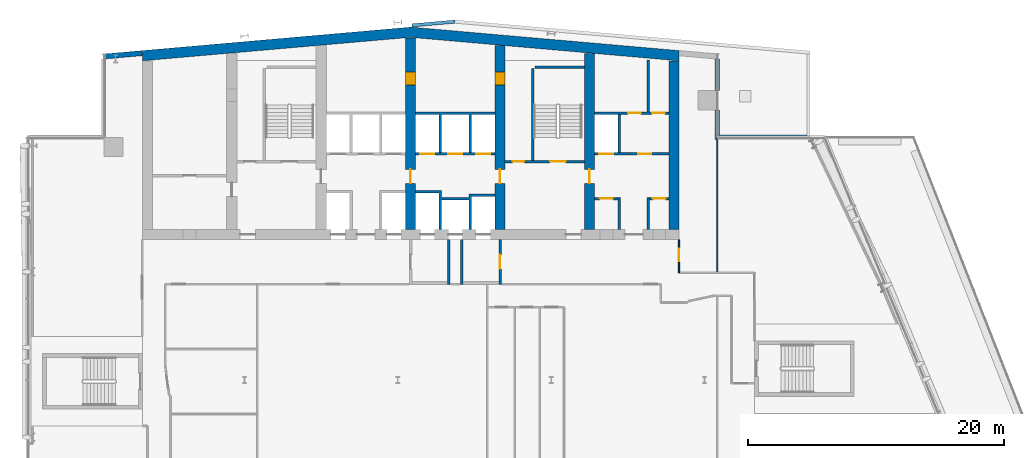
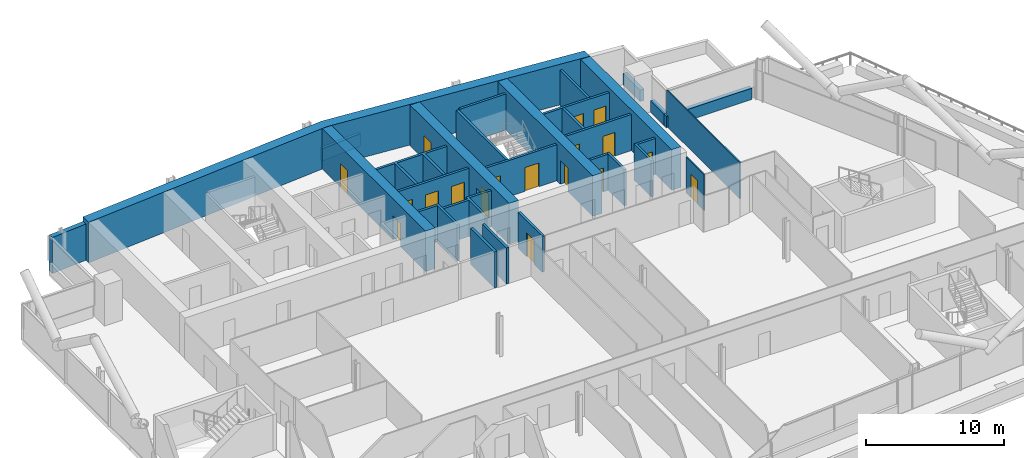
# One storey, part 21 of 30: 29 walls, 18 doors, 18 openings.
"""IFC4 building model written with IfcOpenShell, lengths in metres."""

from ifc_helpers import new_model, si_unit, direction, frame, frame_2d, origin, place, context, subcontext, project, spatial, polyline, rectangle, outline, extrude, material, layer, layer_set, type_object, element, fill, save


model = new_model("IFC4")

# Units and contexts
model_context = context("Model", 3, precision=1e-05, world=origin(), true_north=direction((0.0, 1.0)))
body_context = subcontext(model_context, "Body", "Model", "MODEL_VIEW")
ifc_project = project(units=[si_unit("LENGTHUNIT", "METRE"), si_unit("AREAUNIT", "SQUARE_METRE"), si_unit("VOLUMEUNIT", "CUBIC_METRE"), si_unit("PLANEANGLEUNIT", "RADIAN"), si_unit("MASSUNIT", "GRAM", prefix="KILO")], contexts=[model_context])

# Site, building, storey
site_placement = place(None, origin())
site = spatial("IfcSite", under=ifc_project, at=site_placement, CompositionType="ELEMENT")
building_placement = place(site_placement, origin())
building = spatial("IfcBuilding", under=site, at=building_placement, Name="Wharfspan Tower", CompositionType="ELEMENT")
storey_placement = place(building_placement, frame((0.0, 0.0, 151.899902)))
storey = spatial("IfcBuildingStorey", under=building, at=storey_placement, Name="L36", CompositionType="ELEMENT", Elevation=151.899902)

# Wall, opening, door
ifc_material_1 = material(Name="Gypsum board on steel studs", Category="steel")
ifc_layer_1 = layer(ifc_material_1, 0.100098)
ifc_layer_set_1 = layer_set([ifc_layer_1], Name="Gypsum board on steel studs")
wall_type_1 = type_object("IfcWallType", Name="Compartment wall 100 EI 60", PredefinedType="PARTITIONING", material=ifc_layer_set_1)
wall_1_placement = place(storey_placement, frame((58.0, 31.399902, 0.0), z_axis=(0.0, 0.0, 1.0), x_axis=(0.0, 1.0, 0.0)))
wall_1 = element("IfcWall", 1, at=wall_1_placement, inside=storey, type_object=wall_type_1, Name="Partition L36.w039", PredefinedType="PARTITIONING", context=body_context, shape_type="SweptSolid", body=[
    extrude(rectangle(XDim=2.580078, YDim=0.100098, at=frame_2d((1.290039, 0.0))), origin(), (0.0, 0.0, 1.0), 3.200195),
])
opening_1_placement = place(wall_1_placement, frame((0.899902, 0.0, 0.0)))
opening_1 = element("IfcOpeningElement", 2, at=opening_1_placement, cuts=wall_1, Name="Opening C1-24", PredefinedType="OPENING", context=body_context, shape_type="SweptSolid", body=[
    extrude(rectangle(XDim=1.0, YDim=2.100098, at=frame_2d((0.5, 1.050049))), frame((0.0, 0.060059, 0.0), z_axis=(0.0, -1.0, 0.0), x_axis=(1.0, 0.0, 0.0)), (0.0, 0.0, 1.0), 0.120117),
])
ifc_material_2 = material(Name="Fire-rated timber door leaf in steel frame", Category="steel")
door_type_1 = type_object("IfcDoorType", Name="Door 1000 FD30S Right", OperationType="SINGLE_SWING_RIGHT", PredefinedType="DOOR", material=ifc_material_2)
door_1_placement = place(opening_1_placement, origin())
door_1 = element("IfcDoor", 3, at=door_1_placement, inside=storey, type_object=door_type_1, Name="Door C1-24", OperationType="SINGLE_SWING_RIGHT", OverallHeight=2.100098, OverallWidth=1.0, PredefinedType="DOOR", context=body_context, shape_type="SweptSolid", body=[
    extrude(rectangle(XDim=1.0, YDim=2.100098, at=frame_2d((0.5, 1.050049))), frame((0.0, 0.024902, 0.0), z_axis=(0.0, -1.0, 0.0), x_axis=(1.0, 0.0, 0.0)), (0.0, 0.0, 1.0), 0.050049),
])
fill(opening_1, door_1)

# Wall
wall_2_placement = place(storey_placement, frame((61.0, 31.399902, 0.0), z_axis=(0.0, 0.0, 1.0), x_axis=(0.0, 1.0, 0.0)))
element("IfcWall", 4, at=wall_2_placement, inside=storey, type_object=wall_type_1, Name="Partition L36.w048", PredefinedType="PARTITIONING", context=body_context, shape_type="SweptSolid", body=[
    extrude(rectangle(XDim=10.580078, YDim=0.100098, at=frame_2d((5.290039, 0.0))), origin(), (0.0, 0.0, 1.0), 3.200195),
])

# Wall, opening, door
ifc_material_3 = material(Name="Calcium silicate masonry", Category="masonry")
ifc_layer_2 = layer(ifc_material_3, 0.199951)
ifc_layer_set_2 = layer_set([ifc_layer_2], Name="Calcium silicate masonry")
wall_type_2 = type_object("IfcWallType", Name="Core room wall 200", PredefinedType="PARTITIONING", material=ifc_layer_set_2)
wall_3_placement = place(storey_placement, frame((51.399902, 37.199951, 0.0), z_axis=(0.0, 0.0, 1.0), x_axis=(1.0, 0.0, 0.0)))
wall_3 = element("IfcWall", 5, at=wall_3_placement, inside=storey, type_object=wall_type_2, Name="sw:L36:FR6.1", PredefinedType="PARTITIONING", context=body_context, shape_type="SweptSolid", body=[
    extrude(rectangle(XDim=1.833496, YDim=0.199951, at=frame_2d((0.916748, 0.0))), origin(), (0.0, 0.0, 1.0), 3.200195),
])
opening_2_placement = place(wall_3_placement, frame((0.416748, 0.0, 0.0)))
opening_2 = element("IfcOpeningElement", 6, at=opening_2_placement, cuts=wall_3, Name="Opening CD36.6H1", PredefinedType="OPENING", context=body_context, shape_type="SweptSolid", body=[
    extrude(rectangle(XDim=1.0, YDim=2.100098, at=frame_2d((0.5, 1.050049))), frame((0.0, 0.109863, 0.0), z_axis=(0.0, -1.0, 0.0), x_axis=(1.0, 0.0, 0.0)), (0.0, 0.0, 1.0), 0.219971),
])
ifc_material_4 = material(Name="Steel door leaf", Category="steel")
door_type_2 = type_object("IfcDoorType", Name="Core room door 1000x2100", OperationType="SINGLE_SWING_LEFT", PredefinedType="DOOR", material=ifc_material_4)
door_2_placement = place(opening_2_placement, origin())
door_2 = element("IfcDoor", 7, at=door_2_placement, inside=storey, type_object=door_type_2, Name="d:L36:6:fh6.1", OperationType="SINGLE_SWING_RIGHT", OverallHeight=2.100098, OverallWidth=1.0, PredefinedType="DOOR", context=body_context, shape_type="SweptSolid", body=[
    extrude(rectangle(XDim=1.0, YDim=2.100098, at=frame_2d((0.5, 1.050049))), frame((0.0, 0.024902, 0.0), z_axis=(0.0, -1.0, 0.0), x_axis=(1.0, 0.0, 0.0)), (0.0, 0.0, 1.0), 0.050049),
])
fill(opening_2, door_2)

wall_4_placement = place(storey_placement, frame((55.699951, 37.199951, 0.0), z_axis=(0.0, 0.0, 1.0), x_axis=(1.0, 0.0, 0.0)))
wall_4 = element("IfcWall", 8, at=wall_4_placement, inside=storey, type_object=wall_type_2, Name="sw:L36:FR6.3", PredefinedType="PARTITIONING", context=body_context, shape_type="SweptSolid", body=[
    extrude(rectangle(XDim=1.5, YDim=0.199951, at=frame_2d((0.75, 0.0))), origin(), (0.0, 0.0, 1.0), 3.200195),
])
opening_3_placement = place(wall_4_placement, frame((0.25, 0.0, 0.0)))
opening_3 = element("IfcOpeningElement", 9, at=opening_3_placement, cuts=wall_4, Name="Opening CD36.6H3", PredefinedType="OPENING", context=body_context, shape_type="SweptSolid", body=[
    extrude(rectangle(XDim=1.0, YDim=2.100098, at=frame_2d((0.5, 1.050049))), frame((0.0, 0.109863, 0.0), z_axis=(0.0, -1.0, 0.0), x_axis=(1.0, 0.0, 0.0)), (0.0, 0.0, 1.0), 0.219971),
])
door_3_placement = place(opening_3_placement, origin())
door_3 = element("IfcDoor", 10, at=door_3_placement, inside=storey, type_object=door_type_2, Name="d:L36:6:fh6.3", OperationType="SINGLE_SWING_RIGHT", OverallHeight=2.100098, OverallWidth=1.0, PredefinedType="DOOR", context=body_context, shape_type="SweptSolid", body=[
    extrude(rectangle(XDim=1.0, YDim=2.100098, at=frame_2d((0.5, 1.050049))), frame((0.0, 0.024902, 0.0), z_axis=(0.0, -1.0, 0.0), x_axis=(1.0, 0.0, 0.0)), (0.0, 0.0, 1.0), 0.050049),
])
fill(opening_3, door_3)

# Walls
wall_5_placement = place(storey_placement, frame((55.600098, 44.0, 0.0), z_axis=(0.0, 0.0, 1.0), x_axis=(0.0, 1.0, 0.0)))
element("IfcWall", 11, at=wall_5_placement, inside=storey, type_object=wall_type_2, Name="sw:L36:RP6.1", PredefinedType="PARTITIONING", context=body_context, shape_type="SweptSolid", body=[
    extrude(rectangle(XDim=4.03418, YDim=0.199951, at=frame_2d((2.01709, 0.0))), origin(), (0.0, 0.0, 1.0), 3.200195),
])
ifc_material_5 = material(Name="Concrete C60/75", Category="concrete")
ifc_layer_3 = layer(ifc_material_5, 0.800049)
ifc_layer_set_3 = layer_set([ifc_layer_3], Name="Concrete C60/75")
wall_type_3 = type_object("IfcWallType", Name="Core wall 800 C60/75", PredefinedType="SHEAR", material=ifc_layer_set_3)
wall_6_placement = place(storey_placement, origin())
element("IfcWall", 12, at=wall_6_placement, inside=storey, type_object=wall_type_3, Name="Core rear wall L36", PredefinedType="SHEAR", context=body_context, shape_type="SweptSolid", body=[
    extrude(outline(polyline([(16.0, 47.984375), (37.0, 49.821533), (58.0, 47.984375), (58.0, 48.787354), (37.0, 50.624756), (16.0, 48.787354), (16.0, 47.984375)])), origin(), (0.0, 0.0, 1.0), 3.600098),
])

# Wall, openings, doors
wall_7_placement = place(storey_placement, frame((37.0, 34.800049, 0.0), z_axis=(0.0, 0.0, 1.0), x_axis=(0.0, 1.0, 0.0)))
wall_7 = element("IfcWall", 13, at=wall_7_placement, inside=storey, type_object=wall_type_3, Name="Core cross wall X4 L36", PredefinedType="SHEAR", context=body_context, shape_type="SweptSolid", body=[
    extrude(rectangle(XDim=14.986572, YDim=0.800049, at=frame_2d((7.493164, 0.0))), origin(), (0.0, 0.0, 1.0), 3.600098),
])
opening_4_placement = place(wall_7_placement, frame((11.312012, 0.0, 0.0)))
opening_4 = element("IfcOpeningElement", 14, at=opening_4_placement, cuts=wall_7, Name="Opening CD36.3X", PredefinedType="OPENING", context=body_context, shape_type="SweptSolid", body=[
    extrude(rectangle(XDim=1.0, YDim=2.100098, at=frame_2d((0.5, 1.050049))), frame((0.0, 0.409912, 0.0), z_axis=(0.0, -1.0, 0.0), x_axis=(1.0, 0.0, 0.0)), (0.0, 0.0, 1.0), 0.820068),
])
opening_5_placement = place(wall_7_placement, frame((3.600098, 0.0, 0.0)))
opening_5 = element("IfcOpeningElement", 15, at=opening_5_placement, cuts=wall_7, Name="Opening CC36.4", PredefinedType="OPENING", context=body_context, shape_type="SweptSolid", body=[
    extrude(rectangle(XDim=1.100098, YDim=2.100098, at=frame_2d((0.550049, 1.050049))), frame((0.0, 0.409912, 0.0), z_axis=(0.0, -1.0, 0.0), x_axis=(1.0, 0.0, 0.0)), (0.0, 0.0, 1.0), 0.820068),
])
door_type_3 = type_object("IfcDoorType", Name="Core corridor door 1100x2100", OperationType="SINGLE_SWING_LEFT", PredefinedType="DOOR", material=ifc_material_4)
door_4_placement = place(opening_5_placement, origin())
door_4 = element("IfcDoor", 16, at=door_4_placement, inside=storey, type_object=door_type_3, Name="xd:L36:4", OperationType="SINGLE_SWING_RIGHT", OverallHeight=2.100098, OverallWidth=1.100098, PredefinedType="DOOR", context=body_context, shape_type="SweptSolid", body=[
    extrude(rectangle(XDim=1.100098, YDim=2.100098, at=frame_2d((0.550049, 1.050049))), frame((0.0, 0.024902, 0.0), z_axis=(0.0, -1.0, 0.0), x_axis=(1.0, 0.0, 0.0)), (0.0, 0.0, 1.0), 0.050049),
])
fill(opening_5, door_4)
door_5_placement = place(opening_4_placement, origin())
door_5 = element("IfcDoor", 17, at=door_5_placement, inside=storey, type_object=door_type_2, Name="d:L36:3:sx", OperationType="SINGLE_SWING_LEFT", OverallHeight=2.100098, OverallWidth=1.0, PredefinedType="DOOR", context=body_context, shape_type="SweptSolid", body=[
    extrude(rectangle(XDim=1.0, YDim=2.100098, at=frame_2d((0.5, 1.050049))), frame((0.0, 0.399902, 0.0), z_axis=(0.0, -1.0, 0.0), x_axis=(1.0, 0.0, 0.0)), (0.0, 0.0, 1.0), 0.799561),
])
fill(opening_4, door_5)

wall_8_placement = place(storey_placement, frame((44.0, 34.800049, 0.0), z_axis=(0.0, 0.0, 1.0), x_axis=(0.0, 1.0, 0.0)))
wall_8 = element("IfcWall", 18, at=wall_8_placement, inside=storey, type_object=wall_type_3, Name="Core cross wall X5 L36", PredefinedType="SHEAR", context=body_context, shape_type="SweptSolid", body=[
    extrude(rectangle(XDim=14.374023, YDim=0.800049, at=frame_2d((7.187012, 0.0))), origin(), (0.0, 0.0, 1.0), 3.600098),
])
opening_6_placement = place(wall_8_placement, frame((11.312012, 0.0, 0.0)))
opening_6 = element("IfcOpeningElement", 19, at=opening_6_placement, cuts=wall_8, Name="Opening CD36.4X", PredefinedType="OPENING", context=body_context, shape_type="SweptSolid", body=[
    extrude(rectangle(XDim=1.0, YDim=2.100098, at=frame_2d((0.5, 1.050049))), frame((0.0, 0.409912, 0.0), z_axis=(0.0, -1.0, 0.0), x_axis=(1.0, 0.0, 0.0)), (0.0, 0.0, 1.0), 0.820068),
])
opening_7_placement = place(wall_8_placement, frame((3.600098, 0.0, 0.0)))
opening_7 = element("IfcOpeningElement", 20, at=opening_7_placement, cuts=wall_8, Name="Opening CC36.5", PredefinedType="OPENING", context=body_context, shape_type="SweptSolid", body=[
    extrude(rectangle(XDim=1.100098, YDim=2.100098, at=frame_2d((0.550049, 1.050049))), frame((0.0, 0.409912, 0.0), z_axis=(0.0, -1.0, 0.0), x_axis=(1.0, 0.0, 0.0)), (0.0, 0.0, 1.0), 0.820068),
])
door_6_placement = place(opening_7_placement, origin())
door_6 = element("IfcDoor", 21, at=door_6_placement, inside=storey, type_object=door_type_3, Name="xd:L36:5", OperationType="SINGLE_SWING_LEFT", OverallHeight=2.100098, OverallWidth=1.100098, PredefinedType="DOOR", context=body_context, shape_type="SweptSolid", body=[
    extrude(rectangle(XDim=1.100098, YDim=2.100098, at=frame_2d((0.550049, 1.050049))), frame((0.0, 0.024902, 0.0), z_axis=(0.0, -1.0, 0.0), x_axis=(1.0, 0.0, 0.0)), (0.0, 0.0, 1.0), 0.050049),
])
fill(opening_7, door_6)
door_7_placement = place(opening_6_placement, origin())
door_7 = element("IfcDoor", 22, at=door_7_placement, inside=storey, type_object=door_type_2, Name="d:L36:4:sx", OperationType="SINGLE_SWING_LEFT", OverallHeight=2.100098, OverallWidth=1.0, PredefinedType="DOOR", context=body_context, shape_type="SweptSolid", body=[
    extrude(rectangle(XDim=1.0, YDim=2.100098, at=frame_2d((0.5, 1.050049))), frame((0.0, 0.399902, 0.0), z_axis=(0.0, -1.0, 0.0), x_axis=(1.0, 0.0, 0.0)), (0.0, 0.0, 1.0), 0.799561),
])
fill(opening_6, door_7)

# Wall, opening, door
wall_9_placement = place(storey_placement, frame((51.0, 34.800049, 0.0), z_axis=(0.0, 0.0, 1.0), x_axis=(0.0, 1.0, 0.0)))
wall_9 = element("IfcWall", 23, at=wall_9_placement, inside=storey, type_object=wall_type_3, Name="Core cross wall X6 L36", PredefinedType="SHEAR", context=body_context, shape_type="SweptSolid", body=[
    extrude(rectangle(XDim=13.761719, YDim=0.800049, at=frame_2d((6.880859, 0.0))), origin(), (0.0, 0.0, 1.0), 3.600098),
])
opening_8_placement = place(wall_9_placement, frame((3.600098, 0.0, 0.0)))
opening_8 = element("IfcOpeningElement", 24, at=opening_8_placement, cuts=wall_9, Name="Opening CC36.6", PredefinedType="OPENING", context=body_context, shape_type="SweptSolid", body=[
    extrude(rectangle(XDim=1.100098, YDim=2.100098, at=frame_2d((0.550049, 1.050049))), frame((0.0, 0.409912, 0.0), z_axis=(0.0, -1.0, 0.0), x_axis=(1.0, 0.0, 0.0)), (0.0, 0.0, 1.0), 0.820068),
])
door_8_placement = place(opening_8_placement, origin())
door_8 = element("IfcDoor", 25, at=door_8_placement, inside=storey, type_object=door_type_3, Name="xd:L36:6", OperationType="SINGLE_SWING_RIGHT", OverallHeight=2.100098, OverallWidth=1.100098, PredefinedType="DOOR", context=body_context, shape_type="SweptSolid", body=[
    extrude(rectangle(XDim=1.100098, YDim=2.100098, at=frame_2d((0.550049, 1.050049))), frame((0.0, 0.024902, 0.0), z_axis=(0.0, -1.0, 0.0), x_axis=(1.0, 0.0, 0.0)), (0.0, 0.0, 1.0), 0.050049),
])
fill(opening_8, door_8)

# Wall
wall_10_placement = place(storey_placement, frame((57.600098, 34.800049, 0.0), z_axis=(0.0, 0.0, 1.0), x_axis=(0.0, 1.0, 0.0)))
element("IfcWall", 26, at=wall_10_placement, inside=storey, type_object=wall_type_3, Name="Core cross wall EW1 L36", PredefinedType="SHEAR", context=body_context, shape_type="SweptSolid", body=[
    extrude(rectangle(XDim=13.184326, YDim=0.800049, at=frame_2d((6.592285, 0.0))), origin(), (0.0, 0.0, 1.0), 3.600098),
])

# Wall, openings, doors
ifc_material_6 = material(Name="Concrete C30/37", Category="concrete")
ifc_layer_4 = layer(ifc_material_6, 0.199951)
ifc_layer_set_4 = layer_set([ifc_layer_4], Name="Concrete C30/37")
wall_type_4 = type_object("IfcWallType", Name="Lift shaft wall 200", PredefinedType="PARTITIONING", material=ifc_layer_set_4)
wall_11_placement = place(storey_placement, frame((37.399902, 40.699951, 0.0), z_axis=(0.0, 0.0, 1.0), x_axis=(1.0, 0.0, 0.0)))
wall_11 = element("IfcWall", 27, at=wall_11_placement, inside=storey, type_object=wall_type_4, Name="sw:L36:RF4", PredefinedType="PARTITIONING", context=body_context, shape_type="SweptSolid", body=[
    extrude(rectangle(XDim=6.200195, YDim=0.199951, at=frame_2d((3.100098, 0.0))), origin(), (0.0, 0.0, 1.0), 3.200195),
])
opening_9_placement = place(wall_11_placement, frame((0.366699, 0.0, 0.0)))
opening_9 = element("IfcOpeningElement", 28, at=opening_9_placement, cuts=wall_11, Name="Opening LD.LB4.L36", PredefinedType="OPENING", context=body_context, shape_type="SweptSolid", body=[
    extrude(rectangle(XDim=1.100098, YDim=2.100098, at=frame_2d((0.550049, 1.050049))), frame((0.0, 0.109863, 0.0), z_axis=(0.0, -1.0, 0.0), x_axis=(1.0, 0.0, 0.0)), (0.0, 0.0, 1.0), 0.219971),
])
opening_10_placement = place(wall_11_placement, frame((2.550049, 0.0, 0.0)))
opening_10 = element("IfcOpeningElement", 29, at=opening_10_placement, cuts=wall_11, Name="Opening LD.LB5.L36", PredefinedType="OPENING", context=body_context, shape_type="SweptSolid", body=[
    extrude(rectangle(XDim=1.100098, YDim=2.100098, at=frame_2d((0.550049, 1.050049))), frame((0.0, 0.109863, 0.0), z_axis=(0.0, -1.0, 0.0), x_axis=(1.0, 0.0, 0.0)), (0.0, 0.0, 1.0), 0.219971),
])
opening_11_placement = place(wall_11_placement, frame((4.733398, 0.0, 0.0)))
opening_11 = element("IfcOpeningElement", 30, at=opening_11_placement, cuts=wall_11, Name="Opening LD.LB6.L36", PredefinedType="OPENING", context=body_context, shape_type="SweptSolid", body=[
    extrude(rectangle(XDim=1.100098, YDim=2.100098, at=frame_2d((0.550049, 1.050049))), frame((0.0, 0.109863, 0.0), z_axis=(0.0, -1.0, 0.0), x_axis=(1.0, 0.0, 0.0)), (0.0, 0.0, 1.0), 0.219971),
])
ifc_material_7 = material(Name="Stainless steel", Category="steel")
door_type_4 = type_object("IfcDoorType", Name="Lift landing door 1100x2100", OperationType="DOUBLE_DOOR_SLIDING", PredefinedType="DOOR", material=ifc_material_7)
door_9_placement = place(opening_9_placement, origin())
door_9 = element("IfcDoor", 31, at=door_9_placement, inside=storey, type_object=door_type_4, Name="Landing door LB4 L36", OperationType="DOUBLE_DOOR_SLIDING", OverallHeight=2.100098, OverallWidth=1.100098, PredefinedType="DOOR", context=body_context, shape_type="SweptSolid", body=[
    extrude(rectangle(XDim=1.100098, YDim=2.100098, at=frame_2d((0.550049, 1.050049))), frame((0.0, 0.024902, 0.0), z_axis=(0.0, -1.0, 0.0), x_axis=(1.0, 0.0, 0.0)), (0.0, 0.0, 1.0), 0.050049),
])
fill(opening_9, door_9)
door_10_placement = place(opening_10_placement, origin())
door_10 = element("IfcDoor", 32, at=door_10_placement, inside=storey, type_object=door_type_4, Name="Landing door LB5 L36", OperationType="DOUBLE_DOOR_SLIDING", OverallHeight=2.100098, OverallWidth=1.100098, PredefinedType="DOOR", context=body_context, shape_type="SweptSolid", body=[
    extrude(rectangle(XDim=1.100098, YDim=2.100098, at=frame_2d((0.550049, 1.050049))), frame((0.0, 0.024902, 0.0), z_axis=(0.0, -1.0, 0.0), x_axis=(1.0, 0.0, 0.0)), (0.0, 0.0, 1.0), 0.050049),
])
fill(opening_10, door_10)
door_11_placement = place(opening_11_placement, origin())
door_11 = element("IfcDoor", 33, at=door_11_placement, inside=storey, type_object=door_type_4, Name="Landing door LB6 L36", OperationType="DOUBLE_DOOR_SLIDING", OverallHeight=2.100098, OverallWidth=1.100098, PredefinedType="DOOR", context=body_context, shape_type="SweptSolid", body=[
    extrude(rectangle(XDim=1.100098, YDim=2.100098, at=frame_2d((0.550049, 1.050049))), frame((0.0, 0.024902, 0.0), z_axis=(0.0, -1.0, 0.0), x_axis=(1.0, 0.0, 0.0)), (0.0, 0.0, 1.0), 0.050049),
])
fill(opening_11, door_11)

# Walls
wall_12_placement = place(storey_placement, origin())
element("IfcWall", 34, at=wall_12_placement, inside=storey, type_object=wall_type_4, Name="sw:L36:FM4.0", PredefinedType="PARTITIONING", context=body_context, shape_type="SweptSolid", body=[
    extrude(outline(polyline([(41.56665, 37.100098), (39.43335, 37.100098), (39.43335, 34.800049), (39.233398, 34.800049), (39.233398, 37.649902), (37.399902, 37.649902), (37.399902, 37.850098), (39.233398, 37.850098), (39.43335, 37.850098), (39.43335, 37.300049), (41.56665, 37.300049), (41.56665, 37.550049), (41.766602, 37.550049), (43.600098, 37.550049), (43.600098, 37.350098), (41.766602, 37.350098), (41.766602, 34.800049), (41.56665, 34.800049), (41.56665, 37.100098)])), origin(), (0.0, 0.0, 1.0), 3.200195),
])
wall_13_placement = place(storey_placement, origin())
element("IfcWall", 35, at=wall_13_placement, inside=storey, type_object=wall_type_4, Name="sw:L36:RM4.0", PredefinedType="PARTITIONING", context=body_context, shape_type="SweptSolid", body=[
    extrude(outline(polyline([(39.43335, 40.800049), (39.233398, 40.800049), (39.233398, 43.800049), (37.399902, 43.800049), (37.399902, 44.0), (43.600098, 44.0), (43.600098, 43.800049), (41.766602, 43.800049), (41.766602, 40.800049), (41.56665, 40.800049), (41.56665, 43.800049), (39.43335, 43.800049), (39.43335, 40.800049)])), origin(), (0.0, 0.0, 1.0), 3.200195),
])

# Wall, openings, doors
wall_14_placement = place(storey_placement, frame((51.399902, 40.699951, 0.0), z_axis=(0.0, 0.0, 1.0), x_axis=(1.0, 0.0, 0.0)))
wall_14 = element("IfcWall", 36, at=wall_14_placement, inside=storey, type_object=wall_type_4, Name="sw:L36:RF6", PredefinedType="PARTITIONING", context=body_context, shape_type="SweptSolid", body=[
    extrude(rectangle(XDim=5.800049, YDim=0.199951, at=frame_2d((2.899902, 0.0))), origin(), (0.0, 0.0, 1.0), 3.200195),
])
opening_12_placement = place(wall_14_placement, frame((0.366699, 0.0, 0.0)))
opening_12 = element("IfcOpeningElement", 37, at=opening_12_placement, cuts=wall_14, Name="Opening LD.LB8.L36", PredefinedType="OPENING", context=body_context, shape_type="SweptSolid", body=[
    extrude(rectangle(XDim=1.100098, YDim=2.100098, at=frame_2d((0.550049, 1.050049))), frame((0.0, 0.109863, 0.0), z_axis=(0.0, -1.0, 0.0), x_axis=(1.0, 0.0, 0.0)), (0.0, 0.0, 1.0), 0.219971),
])
opening_13_placement = place(wall_14_placement, frame((3.416748, 0.0, 0.0)))
opening_13 = element("IfcOpeningElement", 38, at=opening_13_placement, cuts=wall_14, Name="Opening CD36.6R2", PredefinedType="OPENING", context=body_context, shape_type="SweptSolid", body=[
    extrude(rectangle(XDim=1.0, YDim=2.100098, at=frame_2d((0.5, 1.050049))), frame((0.0, 0.109863, 0.0), z_axis=(0.0, -1.0, 0.0), x_axis=(1.0, 0.0, 0.0)), (0.0, 0.0, 1.0), 0.219971),
])
door_12_placement = place(opening_13_placement, origin())
door_12 = element("IfcDoor", 39, at=door_12_placement, inside=storey, type_object=door_type_2, Name="d:L36:6:rd6.2", OperationType="SINGLE_SWING_RIGHT", OverallHeight=2.100098, OverallWidth=1.0, PredefinedType="DOOR", context=body_context, shape_type="SweptSolid", body=[
    extrude(rectangle(XDim=1.0, YDim=2.100098, at=frame_2d((0.5, 1.050049))), frame((0.0, 0.024902, 0.0), z_axis=(0.0, -1.0, 0.0), x_axis=(1.0, 0.0, 0.0)), (0.0, 0.0, 1.0), 0.050049),
])
fill(opening_13, door_12)
door_13_placement = place(opening_12_placement, origin())
door_13 = element("IfcDoor", 40, at=door_13_placement, inside=storey, type_object=door_type_4, Name="Landing door LB8 L36", OperationType="DOUBLE_DOOR_SLIDING", OverallHeight=2.100098, OverallWidth=1.100098, PredefinedType="DOOR", context=body_context, shape_type="SweptSolid", body=[
    extrude(rectangle(XDim=1.100098, YDim=2.100098, at=frame_2d((0.550049, 1.050049))), frame((0.0, 0.024902, 0.0), z_axis=(0.0, -1.0, 0.0), x_axis=(1.0, 0.0, 0.0)), (0.0, 0.0, 1.0), 0.050049),
])
fill(opening_12, door_13)

wall_15_placement = place(storey_placement, frame((51.399902, 43.899902, 0.0), z_axis=(0.0, 0.0, 1.0), x_axis=(1.0, 0.0, 0.0)))
wall_15 = element("IfcWall", 41, at=wall_15_placement, inside=storey, type_object=wall_type_4, Name="sw:L36:RR6", PredefinedType="PARTITIONING", context=body_context, shape_type="SweptSolid", body=[
    extrude(rectangle(XDim=5.800049, YDim=0.199951, at=frame_2d((2.899902, 0.0))), origin(), (0.0, 0.0, 1.0), 3.200195),
])
opening_14_placement = place(wall_15_placement, frame((2.616699, 0.0, 0.0)))
opening_14 = element("IfcOpeningElement", 42, at=opening_14_placement, cuts=wall_15, Name="Opening CD36.6S2", PredefinedType="OPENING", context=body_context, shape_type="SweptSolid", body=[
    extrude(rectangle(XDim=1.0, YDim=2.100098, at=frame_2d((0.5, 1.050049))), frame((0.0, 0.109863, 0.0), z_axis=(0.0, -1.0, 0.0), x_axis=(1.0, 0.0, 0.0)), (0.0, 0.0, 1.0), 0.219971),
])
opening_15_placement = place(wall_15_placement, frame((4.5, 0.0, 0.0)))
opening_15 = element("IfcOpeningElement", 43, at=opening_15_placement, cuts=wall_15, Name="Opening CD36.6S2a", PredefinedType="OPENING", context=body_context, shape_type="SweptSolid", body=[
    extrude(rectangle(XDim=1.0, YDim=2.100098, at=frame_2d((0.5, 1.050049))), frame((0.0, 0.109863, 0.0), z_axis=(0.0, -1.0, 0.0), x_axis=(1.0, 0.0, 0.0)), (0.0, 0.0, 1.0), 0.219971),
])
door_14_placement = place(opening_14_placement, origin())
door_14 = element("IfcDoor", 44, at=door_14_placement, inside=storey, type_object=door_type_2, Name="d:L36:6:rs6.2", OperationType="SINGLE_SWING_LEFT", OverallHeight=2.100098, OverallWidth=1.0, PredefinedType="DOOR", context=body_context, shape_type="SweptSolid", body=[
    extrude(rectangle(XDim=1.0, YDim=2.100098, at=frame_2d((0.5, 1.050049))), frame((0.0, 0.024902, 0.0), z_axis=(0.0, -1.0, 0.0), x_axis=(1.0, 0.0, 0.0)), (0.0, 0.0, 1.0), 0.050049),
])
fill(opening_14, door_14)
door_15_placement = place(opening_15_placement, origin())
door_15 = element("IfcDoor", 45, at=door_15_placement, inside=storey, type_object=door_type_2, Name="d:L36:6:rs6.2a", OperationType="SINGLE_SWING_LEFT", OverallHeight=2.100098, OverallWidth=1.0, PredefinedType="DOOR", context=body_context, shape_type="SweptSolid", body=[
    extrude(rectangle(XDim=1.0, YDim=2.100098, at=frame_2d((0.5, 1.050049))), frame((0.0, 0.024902, 0.0), z_axis=(0.0, -1.0, 0.0), x_axis=(1.0, 0.0, 0.0)), (0.0, 0.0, 1.0), 0.050049),
])
fill(opening_15, door_15)

# Walls
wall_16_placement = place(storey_placement, origin())
element("IfcWall", 46, at=wall_16_placement, inside=storey, type_object=wall_type_4, Name="sw:L36:FM6.0", PredefinedType="PARTITIONING", context=body_context, shape_type="SweptSolid", body=[
    extrude(outline(polyline([(53.233398, 34.800049), (53.233398, 37.300049), (53.43335, 37.300049), (53.43335, 34.800049), (53.233398, 34.800049)])), origin(), (0.0, 0.0, 1.0), 3.200195),
])
wall_17_placement = place(storey_placement, origin())
element("IfcWall", 47, at=wall_17_placement, inside=storey, type_object=wall_type_4, Name="sw:L36:FM6.1", PredefinedType="PARTITIONING", context=body_context, shape_type="SweptSolid", body=[
    extrude(outline(polyline([(55.5, 34.800049), (55.5, 37.300049), (55.699951, 37.300049), (55.699951, 34.800049), (55.5, 34.800049)])), origin(), (0.0, 0.0, 1.0), 3.200195),
])
wall_18_placement = place(storey_placement, origin())
element("IfcWall", 48, at=wall_18_placement, inside=storey, type_object=wall_type_4, Name="sw:L36:RM6.0", PredefinedType="PARTITIONING", context=body_context, shape_type="SweptSolid", body=[
    extrude(outline(polyline([(53.43335, 40.800049), (53.43335, 43.800049), (53.233398, 43.800049), (53.233398, 40.800049), (53.43335, 40.800049)])), origin(), (0.0, 0.0, 1.0), 3.200195),
])
ifc_layer_5 = layer(ifc_material_6, 0.199951)
ifc_layer_set_5 = layer_set([ifc_layer_5], Name="Concrete C30/37")
wall_type_5 = type_object("IfcWallType", Name="Lobby wall 200", PredefinedType="PARTITIONING", material=ifc_layer_set_5)
for number, where, z_axis, x_axis, name in (
    (49, (40.0, 30.5, 0.0), (0.0, 0.0, 1.0), (0.0, 1.0, 0.0), "sw:L36:FLFF1E"),
    (50, (41.0, 30.5, 0.0), (0.0, 0.0, 1.0), (0.0, 1.0, 0.0), "sw:L36:FLFF2W"),
):
    element("IfcWall", number, at=place(storey_placement, frame(where, z_axis=z_axis, x_axis=x_axis)), inside=storey, type_object=wall_type_5, Name=name, PredefinedType="PARTITIONING", context=body_context, shape_type="SweptSolid", body=[
        extrude(rectangle(XDim=3.5, YDim=0.199951, at=frame_2d((1.75, 0.0))), origin(), (0.0, 0.0, 1.0), 3.200195),
    ])

# Wall, opening, door
wall_19_placement = place(storey_placement, frame((44.0, 30.5, 0.0), z_axis=(0.0, 0.0, 1.0), x_axis=(0.0, 1.0, 0.0)))
wall_19 = element("IfcWall", 51, at=wall_19_placement, inside=storey, type_object=wall_type_5, Name="sw:L36:FLFF2E", PredefinedType="PARTITIONING", context=body_context, shape_type="SweptSolid", body=[
    extrude(rectangle(XDim=3.5, YDim=0.199951, at=frame_2d((1.75, 0.0))), origin(), (0.0, 0.0, 1.0), 3.200195),
])
opening_16_placement = place(wall_19_placement, frame((1.199951, 0.0, 0.0)))
opening_16 = element("IfcOpeningElement", 52, at=opening_16_placement, cuts=wall_19, Name="Opening FL.FF2.L36", PredefinedType="OPENING", context=body_context, shape_type="SweptSolid", body=[
    extrude(rectangle(XDim=1.100098, YDim=2.100098, at=frame_2d((0.550049, 1.050049))), frame((0.0, 0.109863, 0.0), z_axis=(0.0, -1.0, 0.0), x_axis=(1.0, 0.0, 0.0)), (0.0, 0.0, 1.0), 0.219971),
])
door_type_5 = type_object("IfcDoorType", Name="Firefighting lobby door 1100x2100", OperationType="SINGLE_SWING_LEFT", PredefinedType="DOOR", material=ifc_material_4)
door_16_placement = place(opening_16_placement, origin())
door_16 = element("IfcDoor", 53, at=door_16_placement, inside=storey, type_object=door_type_5, Name="fd:L36:FF2", OperationType="SINGLE_SWING_LEFT", OverallHeight=2.100098, OverallWidth=1.100098, PredefinedType="DOOR", context=body_context, shape_type="SweptSolid", body=[
    extrude(rectangle(XDim=1.100098, YDim=2.100098, at=frame_2d((0.550049, 1.050049))), frame((0.0, 0.024902, 0.0), z_axis=(0.0, -1.0, 0.0), x_axis=(1.0, 0.0, 0.0)), (0.0, 0.0, 1.0), 0.050049),
])
fill(opening_16, door_16)

# Walls
ifc_material_8 = material(Name="Concrete C40/50", Category="concrete")
ifc_layer_6 = layer(ifc_material_8, 0.25)
ifc_layer_set_6 = layer_set([ifc_layer_6], Name="Concrete C40/50")
wall_type_6 = type_object("IfcWallType", Name="PARAPET CONCRETE 250", PredefinedType="PARAPET", material=ifc_layer_set_6)
wall_20_placement = place(storey_placement, frame((37.10376, 50.759277, 0.0), z_axis=(0.0, 0.0, 1.0), x_axis=(0.996193, 0.087128, 0.0)))
element("IfcWall", 54, at=wall_20_placement, inside=storey, type_object=wall_type_6, Name="Ledge parapet", PredefinedType="PARAPET", context=body_context, shape_type="SweptSolid", body=[
    extrude(rectangle(XDim=3.379395, YDim=0.25, at=frame_2d((1.689697, 0.0))), origin(), (0.0, 0.0, 1.0), 1.100098),
])
ifc_layer_7 = layer(ifc_material_8, 0.350098)
ifc_layer_set_7 = layer_set([ifc_layer_7], Name="Concrete C40/50")
wall_type_7 = type_object("IfcWallType", Name="SPANDREL EXPOSED CONCRETE 350", PredefinedType="SOLIDWALL", material=ifc_layer_set_7)
wall_21_placement = place(storey_placement, frame((68.0, 42.004883, 0.0), z_axis=(0.0, 0.0, 1.0), x_axis=(-1.0, 0.0, 0.0)))
element("IfcWall", 55, at=wall_21_placement, inside=storey, type_object=wall_type_7, Name="Spandrel upstand L36 NRE-H 2", PredefinedType="SOLIDWALL", context=body_context, shape_type="SweptSolid", body=[
    extrude(rectangle(XDim=7.169922, YDim=0.350098, at=frame_2d((3.584961, 0.0))), origin(), (0.0, 0.0, 1.0), 1.0),
])
wall_22_placement = place(storey_placement, frame((61.004883, 42.179932, 0.0), z_axis=(0.0, 0.0, 1.0), x_axis=(0.0, 1.0, 0.0)))
element("IfcWall", 56, at=wall_22_placement, inside=storey, type_object=wall_type_7, Name="Spandrel upstand L36 NRE-V", PredefinedType="SOLIDWALL", context=body_context, shape_type="SweptSolid", body=[
    extrude(rectangle(XDim=1.969971, YDim=0.350098, at=frame_2d((0.984863, 0.0))), origin(), (0.0, 0.0, 1.0), 1.0),
])
wall_23_placement = place(storey_placement, frame((61.004883, 45.649902, 0.0), z_axis=(0.0, 0.0, 1.0), x_axis=(0.0, 1.0, 0.0)))
element("IfcWall", 57, at=wall_23_placement, inside=storey, type_object=wall_type_7, Name="Spandrel upstand L36 NRE-V 2", PredefinedType="SOLIDWALL", context=body_context, shape_type="SweptSolid", body=[
    extrude(rectangle(XDim=2.476562, YDim=0.350098, at=frame_2d((1.238281, 0.0))), origin(), (0.0, 0.0, 1.0), 1.0),
])

# Wall, openings, doors
ifc_layer_8 = layer(ifc_material_8, 0.199951)
ifc_layer_set_8 = layer_set([ifc_layer_8], Name="Concrete C40/50")
wall_type_8 = type_object("IfcWallType", Name="Stair shaft wall 200", PredefinedType="SHEAR", material=ifc_layer_set_8)
wall_24_placement = place(storey_placement, frame((44.399902, 40.100098, 0.0), z_axis=(0.0, 0.0, 1.0), x_axis=(1.0, 0.0, 0.0)))
wall_24 = element("IfcWall", 58, at=wall_24_placement, inside=storey, type_object=wall_type_8, Name="ST2 stair enclosure wall L36", PredefinedType="SHEAR", context=body_context, shape_type="SweptSolid", body=[
    extrude(rectangle(XDim=6.200195, YDim=0.199951, at=frame_2d((3.100098, 0.0))), origin(), (0.0, 0.0, 1.0), 3.200195),
])
opening_17_placement = place(wall_24_placement, frame((3.524902, 0.0, 0.0)))
opening_17 = element("IfcOpeningElement", 59, at=opening_17_placement, cuts=wall_24, Name="Opening SD5.L36", PredefinedType="OPENING", context=body_context, shape_type="SweptSolid", body=[
    extrude(rectangle(XDim=1.199951, YDim=2.100098, at=frame_2d((0.600098, 1.050049))), frame((0.0, 0.109863, 0.0), z_axis=(0.0, -1.0, 0.0), x_axis=(1.0, 0.0, 0.0)), (0.0, 0.0, 1.0), 0.219971),
])
opening_18_placement = place(wall_24_placement, frame((0.574951, 0.0, 0.0)))
opening_18 = element("IfcOpeningElement", 60, at=opening_18_placement, cuts=wall_24, Name="Opening CD36.5R", PredefinedType="OPENING", context=body_context, shape_type="SweptSolid", body=[
    extrude(rectangle(XDim=0.899902, YDim=2.100098, at=frame_2d((0.449951, 1.050049))), frame((0.0, 0.109863, 0.0), z_axis=(0.0, -1.0, 0.0), x_axis=(1.0, 0.0, 0.0)), (0.0, 0.0, 1.0), 0.219971),
])
door_17_placement = place(opening_18_placement, origin())
door_17 = element("IfcDoor", 61, at=door_17_placement, inside=storey, type_object=door_type_2, Name="rk:L36:5", OperationType="SINGLE_SWING_LEFT", OverallHeight=2.100098, OverallWidth=0.899902, PredefinedType="DOOR", context=body_context, shape_type="SweptSolid", body=[
    extrude(rectangle(XDim=0.899902, YDim=2.100098, at=frame_2d((0.449951, 1.050049))), frame((0.0, 0.024902, 0.0), z_axis=(0.0, -1.0, 0.0), x_axis=(1.0, 0.0, 0.0)), (0.0, 0.0, 1.0), 0.050049),
])
fill(opening_18, door_17)
door_type_6 = type_object("IfcDoorType", Name="Stair door 1200x2100", OperationType="SINGLE_SWING_LEFT", PredefinedType="DOOR", material=ifc_material_4)
door_18_placement = place(opening_17_placement, origin())
door_18 = element("IfcDoor", 62, at=door_18_placement, inside=storey, type_object=door_type_6, Name="sd:L36:5", OperationType="SINGLE_SWING_RIGHT", OverallHeight=2.100098, OverallWidth=1.199951, PredefinedType="DOOR", context=body_context, shape_type="SweptSolid", body=[
    extrude(rectangle(XDim=1.199951, YDim=2.100098, at=frame_2d((0.600098, 1.050049))), frame((0.0, 0.024902, 0.0), z_axis=(0.0, -1.0, 0.0), x_axis=(1.0, 0.0, 0.0)), (0.0, 0.0, 1.0), 0.050049),
])
fill(opening_17, door_18)

# Walls
wall_25_placement = place(storey_placement, frame((46.550049, 40.199951, 0.0), z_axis=(0.0, 0.0, 1.0), x_axis=(0.0, 1.0, 0.0)))
element("IfcWall", 63, at=wall_25_placement, inside=storey, type_object=wall_type_8, Name="ST2 stair enclosure wall L36", PredefinedType="SHEAR", context=body_context, shape_type="SweptSolid", body=[
    extrude(rectangle(XDim=7.199951, YDim=0.199951, at=frame_2d((3.600098, 0.0))), origin(), (0.0, 0.0, 1.0), 3.200195),
])
wall_26_placement = place(storey_placement, frame((46.75, 47.5, 0.0), z_axis=(0.0, 0.0, 1.0), x_axis=(1.0, 0.0, 0.0)))
element("IfcWall", 64, at=wall_26_placement, inside=storey, type_object=wall_type_8, Name="ST2 stair enclosure wall L36", PredefinedType="SHEAR", context=body_context, shape_type="SweptSolid", body=[
    extrude(rectangle(XDim=3.850098, YDim=0.199951, at=frame_2d((1.925049, 0.0))), origin(), (0.0, 0.0, 1.0), 3.200195),
])
ifc_layer_9 = layer(ifc_material_8, 0.399902)
ifc_layer_set_9 = layer_set([ifc_layer_9], Name="Concrete C40/50")
wall_type_9 = type_object("IfcWallType", Name="WALL EXPOSED CONCRETE 400", PredefinedType="SOLIDWALL", material=ifc_layer_set_9)
wall_27_placement = place(storey_placement, frame((16.0, 48.58667, 0.0), z_axis=(0.0, 0.0, 1.0), x_axis=(-0.996194, -0.087168, 0.0)))
element("IfcWall", 65, at=wall_27_placement, inside=storey, type_object=wall_type_9, Name="Rear wall N1", PredefinedType="SOLIDWALL", context=body_context, shape_type="SweptSolid", body=[
    extrude(rectangle(XDim=2.994141, YDim=0.399902, at=frame_2d((1.49707, 0.0))), origin(), (0.0, 0.0, 1.0), 3.200195),
])

save(model, "model.ifc")
